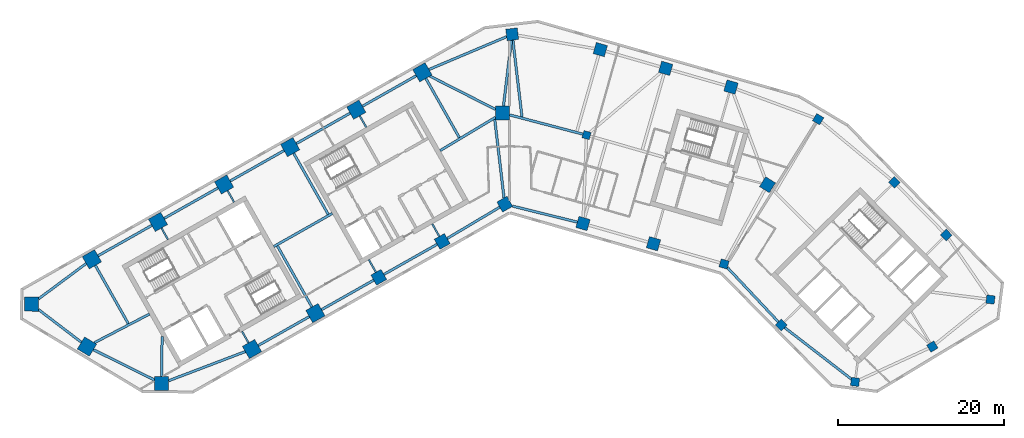
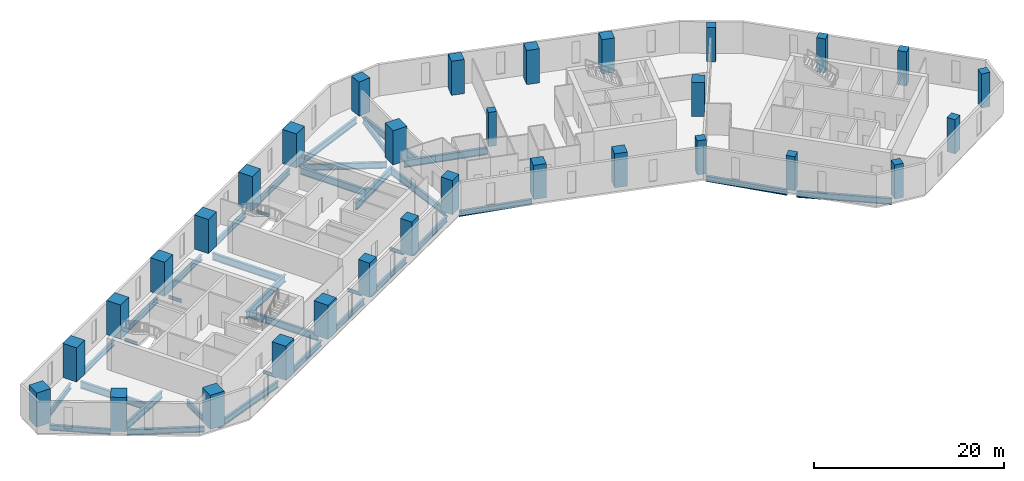
# One storey, part 1 of 10: 36 beams, 31 columns.
"""IFC4 building model written with IfcOpenShell, lengths in metres."""

from ifc_helpers import new_model, si_unit, direction, frame, origin, origin_2d, place, context, subcontext, project, spatial, rectangle, i_section, extrude, material, material_profile, profile_set, type_object, element, save


model = new_model("IFC4")

# Units and contexts
model_context = context("Model", 3, precision=1e-05, world=origin(), true_north=direction((0.0, 1.0)))
body_context = subcontext(model_context, "Body", "Model", "MODEL_VIEW")
ifc_project = project(units=[si_unit("LENGTHUNIT", "METRE"), si_unit("AREAUNIT", "SQUARE_METRE"), si_unit("VOLUMEUNIT", "CUBIC_METRE"), si_unit("PLANEANGLEUNIT", "RADIAN"), si_unit("MASSUNIT", "GRAM", prefix="KILO")], contexts=[model_context])

# Site, building, storey
site_placement = place(None, origin())
site = spatial("IfcSite", under=ifc_project, at=site_placement, CompositionType="ELEMENT")
building_placement = place(site_placement, origin())
building = spatial("IfcBuilding", under=site, at=building_placement, Name="Binnacle Exchange Tower", CompositionType="ELEMENT")
storey_placement = place(building_placement, frame((0.0, 0.0, 145.5)))
storey = spatial("IfcBuildingStorey", under=building, at=storey_placement, Name="L30", CompositionType="ELEMENT", Elevation=145.5)

# Columns
ifc_material_1 = material(Name="Concrete C60/75", Category="concrete")
ifc_material_profile_1 = material_profile(ifc_material_1, rectangle(XDim=0.89990234375, YDim=0.89990234375, at=origin_2d()), Name="Column 900x900 C60/75")
ifc_profile_set_1 = profile_set([ifc_material_profile_1], Name="Concrete C60/75")
column_type_1 = type_object("IfcColumnType", Name="Column 900x900 C60/75", PredefinedType="COLUMN", material=ifc_profile_set_1)
column_placement = place(storey_placement, frame((9.240966796875, 57.35009765625, 0.0), z_axis=(0.0, 0.0, 1.0), x_axis=(0.961261695938, -0.275637355817, 0.0)))
element("IfcColumn", 1, at=column_placement, inside=storey, type_object=column_type_1, Name="S:COL:C19:L30", PredefinedType="COLUMN", context=body_context, shape_type="SweptSolid", body=[
    extrude(rectangle(XDim=0.89990234375, YDim=0.89990234375, at=origin_2d()), origin(), (0.0, 0.0, 1.0), 4.39990234375),
])
ifc_material_2 = material(Name="Concrete C70/85", Category="concrete")
ifc_material_profile_2 = material_profile(ifc_material_2, rectangle(XDim=1.0, YDim=1.0, at=origin_2d()), Name="Mega column 1000x1000 C70/85")
ifc_profile_set_2 = profile_set([ifc_material_profile_2], Name="Concrete C70/85")
column_type_2 = type_object("IfcColumnType", Name="Mega column 1000x1000 C70/85", PredefinedType="COLUMN", material=ifc_profile_set_2)
for number, where, z_axis, x_axis, name in (
    (2, (37.0849609375, 59.262451171875, 0.0), (0.0, 0.0, 1.0), (-0.859406411501, 0.511293086077, 0.0), "S:COL:MC57:L30"),
    (3, (25.766845703125, 41.85986328125, 0.0), (0.0, 0.0, 1.0), (0.961261695938, -0.275637355817, 0.0), "S:COL:MC56:L30"),
    (4, (32.64111328125, 34.530029296875, 0.0), (0.0, 0.0, 1.0), (0.7009092643, -0.713250449154, 0.0), "S:COL:MC59:L30"),
    (5, (41.519775390625, 27.6748046875, 0.0), (0.0, 0.0, 1.0), (0.99200494968, -0.126198969136, 0.0), "S:COL:MC61:L30"),
    (6, (50.81201171875, 31.930908203125, 0.0), (0.0, 0.0, 1.0), (0.857167300702, 0.51503807491, 0.0), "S:COL:MC63:L30"),
    (7, (57.799072265625, 37.5810546875, 0.0), (0.0, 0.0, 1.0), (0.126198969136, 0.99200494968, 0.0), "S:COL:MC62:L30"),
    (8, (52.466796875, 45.33935546875, 0.0), (0.0, 0.0, 1.0), (-0.7009092643, 0.713250449154, 0.0), "S:COL:MC60:L30"),
    (9, (46.248291015625, 51.667236328125, 0.0), (0.0, 0.0, 1.0), (-0.7009092643, 0.713250449154, 0.0), "S:COL:MC58:L30"),
):
    element("IfcColumn", number, at=place(storey_placement, frame(where, z_axis=z_axis, x_axis=x_axis)), inside=storey, type_object=column_type_2, Name=name, PredefinedType="COLUMN", context=body_context, shape_type="SweptSolid", body=[
        extrude(rectangle(XDim=1.0, YDim=1.0, at=origin_2d()), origin(), (0.0, 0.0, 1.0), 4.39990234375),
    ])
ifc_material_profile_3 = material_profile(ifc_material_2, rectangle(XDim=1.39990234375, YDim=1.39990234375, at=origin_2d()), Name="Mega column 1400x1400 C70/85")
ifc_profile_set_3 = profile_set([ifc_material_profile_3], Name="Concrete C70/85")
column_type_3 = type_object("IfcColumnType", Name="Mega column 1400x1400 C70/85", PredefinedType="COLUMN", material=ifc_profile_set_3)
for number, where, z_axis, x_axis, name in (
    (10, (26.602783203125, 63.12353515625, 0.0), (0.0, 0.0, 1.0), (-0.961261695938, 0.275637355817, 0.0), "S:COL:MC52:L30"),
    (11, (18.746337890625, 65.376220703125, 0.0), (0.0, 0.0, 1.0), (-0.961261695938, 0.275637355817, 0.0), "S:COL:MC50:L30"),
    (12, (10.889892578125, 67.62890625, 0.0), (0.0, 0.0, 1.0), (-0.961261695938, 0.275637355817, 0.0), "S:COL:MC48:L30"),
    (13, (0.300048828125, 69.464111328125, 0.0), (0.0, 0.0, 1.0), (-0.993068456955, -0.117537397458, 0.0), "S:COL:MC47:L30"),
    (14, (-15.736328125, 40.257080078125, 0.0), (0.0, 0.0, 1.0), (0.87035569594, 0.492423560103, 0.0), "S:COL:MC24:L30"),
    (15, (-8.116943359375, 44.568115234375, 0.0), (0.0, 0.0, 1.0), (0.87035569594, 0.492423560103, 0.0), "S:COL:MC35:L30"),
    (16, (-0.5908203125, 49.04443359375, 0.0), (0.0, 0.0, 1.0), (0.87035569594, 0.492423560103, 0.0), "S:COL:MC46:L30"),
    (17, (8.8095703125, 46.722412109375, 0.0), (0.0, 0.0, 1.0), (0.961261695938, -0.275637355817, 0.0), "S:COL:MC49:L30"),
    (18, (17.2880859375, 44.291015625, 0.0), (0.0, 0.0, 1.0), (0.961261695938, -0.275637355817, 0.0), "S:COL:MC51:L30"),
    (19, (30.989501953125, 51.38623046875, 0.0), (0.0, 0.0, 1.0), (0.529919264233, 0.848048096156, 0.0), "S:COL:MC55:L30"),
):
    element("IfcColumn", number, at=place(storey_placement, frame(where, z_axis=z_axis, x_axis=x_axis)), inside=storey, type_object=column_type_3, Name=name, PredefinedType="COLUMN", context=body_context, shape_type="SweptSolid", body=[
        extrude(rectangle(XDim=1.39990234375, YDim=1.39990234375, at=origin_2d()), origin(), (0.0, 0.0, 1.0), 4.39990234375),
    ])
ifc_material_profile_4 = material_profile(ifc_material_2, rectangle(XDim=1.699951171875, YDim=1.699951171875, at=origin_2d()), Name="Mega column 1700x1700 C70/85")
ifc_profile_set_4 = profile_set([ifc_material_profile_4], Name="Concrete C70/85")
column_type_4 = type_object("IfcColumnType", Name="Mega column 1700x1700 C70/85", PredefinedType="COLUMN", material=ifc_profile_set_4)
for number, where, z_axis, x_axis, name in (
    (20, (-10.4951171875, 64.901611328125, 0.0), (0.0, 0.0, 1.0), (-0.87035569594, -0.492423560103, 0.0), "S:COL:MC38:L30"),
    (21, (-18.44140625, 60.406005859375, 0.0), (0.0, 0.0, 1.0), (-0.87035569594, -0.492423560103, 0.0), "S:COL:MC29:L30"),
    (22, (-26.3876953125, 55.91015625, 0.0), (0.0, 0.0, 1.0), (-0.87035569594, -0.492423560103, 0.0), "S:COL:MC21:L30"),
    (23, (-34.333740234375, 51.414306640625, 0.0), (0.0, 0.0, 1.0), (-0.87035569594, -0.492423560103, 0.0), "S:COL:MC13:L30"),
    (24, (-42.280029296875, 46.918701171875, 0.0), (0.0, 0.0, 1.0), (-0.87035569594, -0.492423560103, 0.0), "S:COL:MC08:L30"),
    (25, (-50.226318359375, 42.4228515625, 0.0), (0.0, 0.0, 1.0), (-0.87035569594, -0.492423560103, 0.0), "S:COL:MC04:L30"),
    (26, (-57.492919921875, 37.02734375, 0.0), (0.0, 0.0, 1.0), (-0.013089595571, -0.999914327574, 0.0), "S:COL:MC02:L30"),
    (27, (-50.81201171875, 31.930908203125, 0.0), (0.0, 0.0, 1.0), (0.857167300702, -0.51503807491, 0.0), "S:COL:MC01:L30"),
    (28, (-41.857666015625, 27.494873046875, 0.0), (0.0, 0.0, 1.0), (0.999914327574, -0.013089595571, 0.0), "S:COL:MC03:L30"),
    (29, (-30.9755859375, 31.63525390625, 0.0), (0.0, 0.0, 1.0), (0.87035569594, 0.492423560103, 0.0), "S:COL:MC07:L30"),
    (30, (-23.35595703125, 35.9462890625, 0.0), (0.0, 0.0, 1.0), (0.87035569594, 0.492423560103, 0.0), "S:COL:MC16:L30"),
    (31, (-0.85009765625, 60.0, 0.0), (0.0, 0.0, 1.0), (0.0, 1.0, 0.0), "S:COL:MC45:L30"),
):
    element("IfcColumn", number, at=place(storey_placement, frame(where, z_axis=z_axis, x_axis=x_axis)), inside=storey, type_object=column_type_4, Name=name, PredefinedType="COLUMN", context=body_context, shape_type="SweptSolid", body=[
        extrude(rectangle(XDim=1.699951171875, YDim=1.699951171875, at=origin_2d()), origin(), (0.0, 0.0, 1.0), 4.39990234375),
    ])

# Beams
ifc_material_3 = material(Name="Steel S355 (SHN355)", Category="steel")
ifc_material_profile_5 = material_profile(ifc_material_3, i_section(OverallWidth=0.300048828125, OverallDepth=0.699951171875, WebThickness=0.012939453125, FlangeThickness=0.02392578125, FilletRadius=0.028076171875, at=origin_2d()), Name="H 700x300x13x24")
ifc_profile_set_5 = profile_set([ifc_material_profile_5], Name="Steel S355 (SHN355)")
beam_type_1 = type_object("IfcBeamType", Name="Edge girder H 700x300x13x24 Steel S355 (SHN355)", PredefinedType="SPANDREL", material=ifc_profile_set_5)
beam_1_placement = place(storey_placement, frame((-56.6513671875, 36.38525390625, -0.669921875), z_axis=(0.795093040263, -0.606487474994, 0.0), x_axis=(0.606487474994, 0.795093040263, 0.0)))
element("IfcBeam", 32, at=beam_1_placement, inside=storey, type_object=beam_type_1, Name="S:BM:edge:L30:015", PredefinedType="SPANDREL", context=body_context, shape_type="SweptSolid", body=[
    extrude(i_section(OverallWidth=0.300048828125, OverallDepth=0.699951171875, WebThickness=0.012939453125, FlangeThickness=0.02392578125, FilletRadius=0.028076171875, at=origin_2d()), origin(), (0.0, 0.0, 1.0), 6.489013671875),
])
beam_2_placement = place(storey_placement, frame((-50.913818359375, 41.912353515625, -0.669921875), z_axis=(-0.80288535334, -0.59613346609, 0.0), x_axis=(0.59613346609, -0.80288535334, 0.0)))
element("IfcBeam", 33, at=beam_2_placement, inside=storey, type_object=beam_type_1, Name="S:BM:edge:L30:016", PredefinedType="SPANDREL", context=body_context, shape_type="SweptSolid", body=[
    extrude(i_section(OverallWidth=0.300048828125, OverallDepth=0.699951171875, WebThickness=0.012939453125, FlangeThickness=0.02392578125, FilletRadius=0.028076171875, at=origin_2d()), origin(), (0.0, 0.0, 1.0), 7.125244140625),
])
beam_3_placement = place(storey_placement, frame((-43.019775390625, 46.5, -0.669921875), z_axis=(-0.870364477798, -0.492408037898, 0.0), x_axis=(0.492408037898, -0.870364477798, 0.0)))
element("IfcBeam", 34, at=beam_3_placement, inside=storey, type_object=beam_type_1, Name="S:BM:edge:L30:018", PredefinedType="SPANDREL", context=body_context, shape_type="SweptSolid", body=[
    extrude(i_section(OverallWidth=0.300048828125, OverallDepth=0.699951171875, WebThickness=0.012939453125, FlangeThickness=0.02392578125, FilletRadius=0.028076171875, at=origin_2d()), origin(), (0.0, 0.0, 1.0), 7.4296875),
])
beam_4_placement = place(storey_placement, frame((-35.073486328125, 50.995849609375, -0.669921875), z_axis=(-0.870372444894, -0.492393955253, 0.0), x_axis=(0.492393955253, -0.870372444894, 0.0)))
element("IfcBeam", 35, at=beam_4_placement, inside=storey, type_object=beam_type_1, Name="S:BM:edge:L30:020", PredefinedType="SPANDREL", context=body_context, shape_type="SweptSolid", body=[
    extrude(i_section(OverallWidth=0.300048828125, OverallDepth=0.699951171875, WebThickness=0.012939453125, FlangeThickness=0.02392578125, FilletRadius=0.028076171875, at=origin_2d()), origin(), (0.0, 0.0, 1.0), 7.429931640625),
])
beam_5_placement = place(storey_placement, frame((-30.23583984375, 32.053955078125, -0.669921875), z_axis=(0.870373276953, 0.492392484473, 0.0), x_axis=(-0.492392484473, 0.870373276953, 0.0)))
element("IfcBeam", 36, at=beam_5_placement, inside=storey, type_object=beam_type_1, Name="S:BM:edge:L30:021", PredefinedType="SPANDREL", context=body_context, shape_type="SweptSolid", body=[
    extrude(i_section(OverallWidth=0.300048828125, OverallDepth=0.699951171875, WebThickness=0.012939453125, FlangeThickness=0.02392578125, FilletRadius=0.028076171875, at=origin_2d()), origin(), (0.0, 0.0, 1.0), 7.0546875),
])
beam_6_placement = place(storey_placement, frame((-27.12744140625, 55.49169921875, -0.669921875), z_axis=(-0.870350394687, -0.492432929919, 0.0), x_axis=(0.492432929919, -0.870350394687, 0.0)))
element("IfcBeam", 37, at=beam_6_placement, inside=storey, type_object=beam_type_1, Name="S:BM:edge:L30:022", PredefinedType="SPANDREL", context=body_context, shape_type="SweptSolid", body=[
    extrude(i_section(OverallWidth=0.300048828125, OverallDepth=0.699951171875, WebThickness=0.012939453125, FlangeThickness=0.02392578125, FilletRadius=0.028076171875, at=origin_2d()), origin(), (0.0, 0.0, 1.0), 7.429931640625),
])
beam_7_placement = place(storey_placement, frame((-22.6162109375, 36.36474609375, -0.669921875), z_axis=(0.870345646157, 0.492441322612, 0.0), x_axis=(-0.492441322612, 0.870345646157, 0.0)))
element("IfcBeam", 38, at=beam_7_placement, inside=storey, type_object=beam_type_1, Name="S:BM:edge:L30:023", PredefinedType="SPANDREL", context=body_context, shape_type="SweptSolid", body=[
    extrude(i_section(OverallWidth=0.300048828125, OverallDepth=0.699951171875, WebThickness=0.012939453125, FlangeThickness=0.02392578125, FilletRadius=0.028076171875, at=origin_2d()), origin(), (0.0, 0.0, 1.0), 7.20458984375),
])
beam_8_placement = place(storey_placement, frame((-19.18115234375, 59.9873046875, -0.669921875), z_axis=(-0.870364477798, -0.492408037898, 0.0), x_axis=(0.492408037898, -0.870364477798, 0.0)))
element("IfcBeam", 39, at=beam_8_placement, inside=storey, type_object=beam_type_1, Name="S:BM:edge:L30:024", PredefinedType="SPANDREL", context=body_context, shape_type="SweptSolid", body=[
    extrude(i_section(OverallWidth=0.300048828125, OverallDepth=0.699951171875, WebThickness=0.012939453125, FlangeThickness=0.02392578125, FilletRadius=0.028076171875, at=origin_2d()), origin(), (0.0, 0.0, 1.0), 7.4296875),
])
beam_9_placement = place(storey_placement, frame((-15.127197265625, 40.601806640625, -0.669921875), z_axis=(0.870355645737, 0.492423648837, 0.0), x_axis=(-0.492423648837, 0.870355645737, 0.0)))
element("IfcBeam", 40, at=beam_9_placement, inside=storey, type_object=beam_type_1, Name="S:BM:edge:L30:025", PredefinedType="SPANDREL", context=body_context, shape_type="SweptSolid", body=[
    extrude(i_section(OverallWidth=0.300048828125, OverallDepth=0.699951171875, WebThickness=0.012939453125, FlangeThickness=0.02392578125, FilletRadius=0.028076171875, at=origin_2d()), origin(), (0.0, 0.0, 1.0), 7.3544921875),
])
beam_10_placement = place(storey_placement, frame((-11.23486328125, 64.483154296875, -0.669921875), z_axis=(-0.870364477798, -0.492408037898, 0.0), x_axis=(0.492408037898, -0.870364477798, 0.0)))
element("IfcBeam", 41, at=beam_10_placement, inside=storey, type_object=beam_type_1, Name="S:BM:edge:L30:026", PredefinedType="SPANDREL", context=body_context, shape_type="SweptSolid", body=[
    extrude(i_section(OverallWidth=0.300048828125, OverallDepth=0.699951171875, WebThickness=0.012939453125, FlangeThickness=0.02392578125, FilletRadius=0.028076171875, at=origin_2d()), origin(), (0.0, 0.0, 1.0), 7.4296875),
])
beam_11_placement = place(storey_placement, frame((-7.51513671875, 44.926025390625, -0.669921875), z_axis=(0.859466137143, 0.511192682952, 0.0), x_axis=(-0.511192682952, 0.859466137143, 0.0)))
element("IfcBeam", 42, at=beam_11_placement, inside=storey, type_object=beam_type_1, Name="S:BM:edge:L30:027", PredefinedType="SPANDREL", context=body_context, shape_type="SweptSolid", body=[
    extrude(i_section(OverallWidth=0.300048828125, OverallDepth=0.699951171875, WebThickness=0.012939453125, FlangeThickness=0.02392578125, FilletRadius=0.028076171875, at=origin_2d()), origin(), (0.0, 0.0, 1.0), 7.356201171875),
])
beam_12_placement = place(storey_placement, frame((0.343994140625, 48.8134765625, -0.669921875), z_axis=(0.970820959584, -0.239805472064, 0.0), x_axis=(0.239805472064, 0.970820959584, 0.0)))
element("IfcBeam", 43, at=beam_12_placement, inside=storey, type_object=beam_type_1, Name="S:BM:edge:L30:029", PredefinedType="SPANDREL", context=body_context, shape_type="SweptSolid", body=[
    extrude(i_section(OverallWidth=0.300048828125, OverallDepth=0.699951171875, WebThickness=0.012939453125, FlangeThickness=0.02392578125, FilletRadius=0.028076171875, at=origin_2d()), origin(), (0.0, 0.0, 1.0), 8.019287109375),
])
ifc_material_profile_6 = material_profile(ifc_material_3, i_section(OverallWidth=0.302001953125, OverallDepth=0.7080078125, WebThickness=0.014892578125, FlangeThickness=0.028076171875, FilletRadius=0.028076171875, at=origin_2d()), Name="H 708x302x15x28")
ifc_profile_set_6 = profile_set([ifc_material_profile_6], Name="Steel S355 (SHN355)")
beam_type_2 = type_object("IfcBeamType", Name="Edge girder H 708x302x15x28 Steel S355 (SHN355)", PredefinedType="SPANDREL", material=ifc_profile_set_6)
beam_13_placement = place(storey_placement, frame((-50.0478515625, 31.55224609375, -0.674072265625), z_axis=(0.896059216286, -0.443934545749, 0.0), x_axis=(0.443934545749, 0.896059216286, 0.0)))
element("IfcBeam", 44, at=beam_13_placement, inside=storey, type_object=beam_type_2, Name="S:BM:edge:L30:017", PredefinedType="SPANDREL", context=body_context, shape_type="SweptSolid", body=[
    extrude(i_section(OverallWidth=0.302001953125, OverallDepth=0.7080078125, WebThickness=0.014892578125, FlangeThickness=0.028076171875, FilletRadius=0.028076171875, at=origin_2d()), origin(), (0.0, 0.0, 1.0), 8.197509765625),
])
beam_14_placement = place(storey_placement, frame((26.165283203125, 41.43505859375, -0.674072265625), z_axis=(0.684076068391, -0.729410674898, 0.0), x_axis=(0.729410674898, 0.684076068391, 0.0)))
element("IfcBeam", 45, at=beam_14_placement, inside=storey, type_object=beam_type_2, Name="S:BM:edge:L30:035", PredefinedType="SPANDREL", context=body_context, shape_type="SweptSolid", body=[
    extrude(i_section(OverallWidth=0.302001953125, OverallDepth=0.7080078125, WebThickness=0.014892578125, FlangeThickness=0.028076171875, FilletRadius=0.028076171875, at=origin_2d()), origin(), (0.0, 0.0, 1.0), 8.966552734375),
])
ifc_material_profile_7 = material_profile(ifc_material_3, i_section(OverallWidth=0.302001953125, OverallDepth=0.80810546875, WebThickness=0.01611328125, FlangeThickness=0.030029296875, FilletRadius=0.028076171875, at=origin_2d()), Name="H 808x302x16x30")
ifc_profile_set_7 = profile_set([ifc_material_profile_7], Name="Steel S355 (SHN355)")
beam_type_3 = type_object("IfcBeamType", Name="Edge girder H 808x302x16x30 Steel S355 (SHN355)", PredefinedType="SPANDREL", material=ifc_profile_set_7)
beam_15_placement = place(storey_placement, frame((-41.00341796875, 27.81982421875, -0.72412109375), z_axis=(0.934628738252, 0.355624973297, 0.0), x_axis=(-0.355624973297, 0.934628738252, 0.0)))
element("IfcBeam", 46, at=beam_15_placement, inside=storey, type_object=beam_type_3, Name="S:BM:edge:L30:019", PredefinedType="SPANDREL", context=body_context, shape_type="SweptSolid", body=[
    extrude(i_section(OverallWidth=0.302001953125, OverallDepth=0.80810546875, WebThickness=0.01611328125, FlangeThickness=0.030029296875, FilletRadius=0.028076171875, at=origin_2d()), origin(), (0.0, 0.0, 1.0), 9.869384765625),
])
beam_16_placement = place(storey_placement, frame((-0.37109375, 69.180419921875, -0.72412109375), z_axis=(-0.921114465748, -0.389291845523, 0.0), x_axis=(0.389291845523, -0.921114465748, 0.0)))
element("IfcBeam", 47, at=beam_16_placement, inside=storey, type_object=beam_type_3, Name="S:BM:edge:L30:028", PredefinedType="SPANDREL", context=body_context, shape_type="SweptSolid", body=[
    extrude(i_section(OverallWidth=0.302001953125, OverallDepth=0.80810546875, WebThickness=0.01611328125, FlangeThickness=0.030029296875, FilletRadius=0.028076171875, at=origin_2d()), origin(), (0.0, 0.0, 1.0), 10.13525390625),
])
beam_17_placement = place(storey_placement, frame((33.040771484375, 34.2216796875, -0.72412109375), z_axis=(0.791519159984, -0.611144352324, 0.0), x_axis=(0.611144352324, 0.791519159984, 0.0)))
element("IfcBeam", 48, at=beam_17_placement, inside=storey, type_object=beam_type_3, Name="S:BM:edge:L30:036", PredefinedType="SPANDREL", context=body_context, shape_type="SweptSolid", body=[
    extrude(i_section(OverallWidth=0.302001953125, OverallDepth=0.80810546875, WebThickness=0.01611328125, FlangeThickness=0.030029296875, FilletRadius=0.028076171875, at=origin_2d()), origin(), (0.0, 0.0, 1.0), 10.13232421875),
])
ifc_material_profile_8 = material_profile(ifc_material_3, i_section(OverallWidth=0.199951171875, OverallDepth=0.39990234375, WebThickness=0.008056640625, FlangeThickness=0.012939453125, FilletRadius=0.01611328125, at=origin_2d()), Name="H 400x200x8x13")
ifc_profile_set_8 = profile_set([ifc_material_profile_8], Name="Steel S355 (SHN355)")
beam_type_4 = type_object("IfcBeamType", Name="Floor beam H 400x200x8x13 Steel S355 (SHN355)", PredefinedType="BEAM", material=ifc_profile_set_8)
beam_18_placement = place(storey_placement, frame((-41.861328125, 46.178955078125, -0.52001953125), z_axis=(0.492366981934, -0.870387703901, 0.0), x_axis=(0.870387703901, 0.492366981934, 0.0)))
element("IfcBeam", 49, at=beam_18_placement, inside=storey, type_object=beam_type_4, Name="S:BM:cross:L30:044", PredefinedType="BEAM", context=body_context, shape_type="SweptSolid", body=[
    extrude(i_section(OverallWidth=0.199951171875, OverallDepth=0.39990234375, WebThickness=0.008056640625, FlangeThickness=0.012939453125, FilletRadius=0.01611328125, at=origin_2d()), origin(), (0.0, 0.0, 1.0), 1.584228515625),
])
beam_19_placement = place(storey_placement, frame((-33.915283203125, 50.674560546875, -0.52001953125), z_axis=(0.492483715062, -0.870321659158, 0.0), x_axis=(0.870321659158, 0.492483715062, 0.0)))
element("IfcBeam", 50, at=beam_19_placement, inside=storey, type_object=beam_type_4, Name="S:BM:cross:L30:046", PredefinedType="BEAM", context=body_context, shape_type="SweptSolid", body=[
    extrude(i_section(OverallWidth=0.199951171875, OverallDepth=0.39990234375, WebThickness=0.008056640625, FlangeThickness=0.012939453125, FilletRadius=0.01611328125, at=origin_2d()), origin(), (0.0, 0.0, 1.0), 1.58447265625),
])
for number, where, z_axis, x_axis, name in (
    (51, (-31.394287109375, 32.375, -0.52001953125), (-0.492366981934, 0.870387703901, 0.0), (-0.870387703901, -0.492366981934, 0.0), "S:BM:cross:L30:047"),
    (52, (-18.022705078125, 59.666259765625, -0.52001953125), (0.492366981934, -0.870387703901, 0.0), (0.870387703901, 0.492366981934, 0.0), "S:BM:cross:L30:050"),
):
    element("IfcBeam", number, at=place(storey_placement, frame(where, z_axis=z_axis, x_axis=x_axis)), inside=storey, type_object=beam_type_4, Name=name, PredefinedType="BEAM", context=body_context, shape_type="SweptSolid", body=[
        extrude(i_section(OverallWidth=0.199951171875, OverallDepth=0.39990234375, WebThickness=0.008056640625, FlangeThickness=0.012939453125, FilletRadius=0.01611328125, at=origin_2d()), origin(), (0.0, 0.0, 1.0), 1.584228515625),
    ])
for number, where, z_axis, x_axis, name in (
    (53, (-16.0810546875, 40.866455078125, -0.52001953125), (-0.492405102951, 0.870366138236, 0.0), (-0.870366138236, -0.492405102951, 0.0), "S:BM:cross:L30:051"),
    (54, (-8.461669921875, 45.17724609375, -0.52001953125), (-0.492405102951, 0.870366138236, 0.0), (-0.870366138236, -0.492405102951, 0.0), "S:BM:cross:L30:053"),
):
    element("IfcBeam", number, at=place(storey_placement, frame(where, z_axis=z_axis, x_axis=x_axis)), inside=storey, type_object=beam_type_4, Name=name, PredefinedType="BEAM", context=body_context, shape_type="SweptSolid", body=[
        extrude(i_section(OverallWidth=0.199951171875, OverallDepth=0.39990234375, WebThickness=0.008056640625, FlangeThickness=0.012939453125, FilletRadius=0.01611328125, at=origin_2d()), origin(), (0.0, 0.0, 1.0), 1.734375),
    ])
ifc_material_profile_9 = material_profile(ifc_material_3, i_section(OverallWidth=0.300048828125, OverallDepth=0.699951171875, WebThickness=0.012939453125, FlangeThickness=0.02392578125, FilletRadius=0.028076171875, at=origin_2d()), Name="H 700x300x13x24")
ifc_profile_set_9 = profile_set([ifc_material_profile_9], Name="Steel S355 (SHN355)")
beam_type_5 = type_object("IfcBeamType", Name="Floor beam H 700x300x13x24 Steel S355 (SHN355)", PredefinedType="BEAM", material=ifc_profile_set_9)
beam_20_placement = place(storey_placement, frame((-41.8466796875, 28.3447265625, -0.669921875), z_axis=(0.013120628196, 0.999913920853, 0.0), x_axis=(-0.999913920853, 0.013120628196, 0.0)))
element("IfcBeam", 55, at=beam_20_placement, inside=storey, type_object=beam_type_5, Name="S:BM:cross:L30:045", PredefinedType="BEAM", context=body_context, shape_type="SweptSolid", body=[
    extrude(i_section(OverallWidth=0.300048828125, OverallDepth=0.699951171875, WebThickness=0.012939453125, FlangeThickness=0.02392578125, FilletRadius=0.028076171875, at=origin_2d()), origin(), (0.0, 0.0, 1.0), 4.80078125),
])
ifc_material_profile_10 = material_profile(ifc_material_3, i_section(OverallWidth=0.300048828125, OverallDepth=0.89990234375, WebThickness=0.01611328125, FlangeThickness=0.028076171875, FilletRadius=0.028076171875, at=origin_2d()), Name="H 900x300x16x28")
ifc_profile_set_10 = profile_set([ifc_material_profile_10], Name="Steel S355 (SHN355)")
beam_type_6 = type_object("IfcBeamType", Name="Floor beam H 900x300x16x28 Steel S355 (SHN355)", PredefinedType="BEAM", material=ifc_profile_set_10)
beam_21_placement = place(storey_placement, frame((-49.8076171875, 41.68310546875, -0.77001953125), z_axis=(0.492423370769, -0.87035580306, 0.0), x_axis=(0.87035580306, 0.492423370769, 0.0)))
element("IfcBeam", 56, at=beam_21_placement, inside=storey, type_object=beam_type_6, Name="S:BM:cross:L30:043", PredefinedType="BEAM", context=body_context, shape_type="SweptSolid", body=[
    extrude(i_section(OverallWidth=0.300048828125, OverallDepth=0.89990234375, WebThickness=0.01611328125, FlangeThickness=0.028076171875, FilletRadius=0.028076171875, at=origin_2d()), origin(), (0.0, 0.0, 1.0), 8.041259765625),
])
beam_22_placement = place(storey_placement, frame((-10.076416015625, 64.161865234375, -0.77001953125), z_axis=(0.492410737926, -0.870362950254, 0.0), x_axis=(0.870362950254, 0.492410737926, 0.0)))
element("IfcBeam", 57, at=beam_22_placement, inside=storey, type_object=beam_type_6, Name="S:BM:cross:L30:052", PredefinedType="BEAM", context=body_context, shape_type="SweptSolid", body=[
    extrude(i_section(OverallWidth=0.300048828125, OverallDepth=0.89990234375, WebThickness=0.01611328125, FlangeThickness=0.028076171875, FilletRadius=0.028076171875, at=origin_2d()), origin(), (0.0, 0.0, 1.0), 8.16943359375),
])
ifc_material_profile_11 = material_profile(ifc_material_3, i_section(OverallWidth=0.302001953125, OverallDepth=0.912109375, WebThickness=0.01806640625, FlangeThickness=0.033935546875, FilletRadius=0.028076171875, at=origin_2d()), Name="H 912x302x18x34")
ifc_profile_set_11 = profile_set([ifc_material_profile_11], Name="Steel S355 (SHN355)")
beam_type_7 = type_object("IfcBeamType", Name="Floor beam H 912x302x18x34 Steel S355 (SHN355)", PredefinedType="BEAM", material=ifc_profile_set_11)
for number, where, z_axis, x_axis, name in (
    (58, (-25.968994140625, 55.17041015625, -0.77587890625), (0.492409177884, -0.870363832851, 0.0), (0.870363832851, 0.492409177884, 0.0), "S:BM:cross:L30:048"),
    (59, (-23.774658203125, 36.68603515625, -0.77587890625), (-0.492409177884, 0.870363832851, 0.0), (-0.870363832851, -0.492409177884, 0.0), "S:BM:cross:L30:049"),
):
    element("IfcBeam", number, at=place(storey_placement, frame(where, z_axis=z_axis, x_axis=x_axis)), inside=storey, type_object=beam_type_7, Name=name, PredefinedType="BEAM", context=body_context, shape_type="SweptSolid", body=[
        extrude(i_section(OverallWidth=0.302001953125, OverallDepth=0.912109375, WebThickness=0.01806640625, FlangeThickness=0.033935546875, FilletRadius=0.028076171875, at=origin_2d()), origin(), (0.0, 0.0, 1.0), 8.43408203125),
    ])
ifc_material_profile_12 = material_profile(ifc_material_3, i_section(OverallWidth=0.302978515625, OverallDepth=0.91796875, WebThickness=0.01904296875, FlangeThickness=0.037109375, FilletRadius=0.028076171875, at=origin_2d()), Name="H 918x303x19x37")
ifc_profile_set_12 = profile_set([ifc_material_profile_12], Name="Steel S355 (SHN355)")
beam_type_8 = type_object("IfcBeamType", Name="Floor beam H 918x303x19x37 Steel S355 (SHN355)", PredefinedType="BEAM", material=ifc_profile_set_12)
beam_23_placement = place(storey_placement, frame((-0.68017578125, 49.79833984375, -0.779052734375), z_axis=(-0.11752294526, 0.993070167379, 0.0), x_axis=(-0.993070167379, -0.11752294526, 0.0)))
element("IfcBeam", 60, at=beam_23_placement, inside=storey, type_object=beam_type_8, Name="S:BM:cross:L30:054", PredefinedType="BEAM", context=body_context, shape_type="SweptSolid", body=[
    extrude(i_section(OverallWidth=0.302978515625, OverallDepth=0.91796875, WebThickness=0.01904296875, FlangeThickness=0.037109375, FilletRadius=0.028076171875, at=origin_2d()), origin(), (0.0, 0.0, 1.0), 9.537353515625),
])
beam_24_placement = place(storey_placement, frame((0.38232421875, 68.76904296875, -0.779052734375), z_axis=(0.117557103339, -0.993066124412, 0.0), x_axis=(0.993066124412, 0.117557103339, 0.0)))
element("IfcBeam", 61, at=beam_24_placement, inside=storey, type_object=beam_type_8, Name="S:BM:cross:L30:055", PredefinedType="BEAM", context=body_context, shape_type="SweptSolid", body=[
    extrude(i_section(OverallWidth=0.302978515625, OverallDepth=0.91796875, WebThickness=0.01904296875, FlangeThickness=0.037109375, FilletRadius=0.028076171875, at=origin_2d()), origin(), (0.0, 0.0, 1.0), 9.2998046875),
])
ifc_material_profile_13 = material_profile(ifc_material_3, i_section(OverallWidth=0.302001953125, OverallDepth=0.7080078125, WebThickness=0.014892578125, FlangeThickness=0.028076171875, FilletRadius=0.028076171875, at=origin_2d()), Name="H 708x302x15x28")
ifc_profile_set_13 = profile_set([ifc_material_profile_13], Name="Steel S355 (SHN355)")
beam_type_9 = type_object("IfcBeamType", Name="Spine girder H 708x302x15x28 Steel S355 (SHN355)", PredefinedType="BEAM", material=ifc_profile_set_13)
beam_25_placement = place(storey_placement, frame((-0.74658203125, 60.85009765625, -0.674072265625), z_axis=(0.120612669289, 0.992699644408, 0.0), x_axis=(-0.992699644408, 0.120612669289, 0.0)))
element("IfcBeam", 62, at=beam_25_placement, inside=storey, type_object=beam_type_9, Name="S:BM:spine:L30:005", PredefinedType="BEAM", context=body_context, shape_type="SweptSolid", body=[
    extrude(i_section(OverallWidth=0.302001953125, OverallDepth=0.7080078125, WebThickness=0.014892578125, FlangeThickness=0.028076171875, FilletRadius=0.028076171875, at=origin_2d()), origin(), (0.0, 0.0, 1.0), 7.95703125),
])
ifc_material_profile_14 = material_profile(ifc_material_3, i_section(OverallWidth=0.302001953125, OverallDepth=0.80810546875, WebThickness=0.01611328125, FlangeThickness=0.030029296875, FilletRadius=0.028076171875, at=origin_2d()), Name="H 808x302x16x30")
ifc_profile_set_14 = profile_set([ifc_material_profile_14], Name="Steel S355 (SHN355)")
beam_type_10 = type_object("IfcBeamType", Name="Spine girder H 808x302x16x30 Steel S355 (SHN355)", PredefinedType="BEAM", material=ifc_profile_set_14)
beam_26_placement = place(storey_placement, frame((-1.699951171875, 60.431884765625, -0.72412109375), z_axis=(-0.891471296315, 0.45307717648, 0.0), x_axis=(-0.45307717648, -0.891471296315, 0.0)))
element("IfcBeam", 63, at=beam_26_placement, inside=storey, type_object=beam_type_10, Name="S:BM:spine:L30:004", PredefinedType="BEAM", context=body_context, shape_type="SweptSolid", body=[
    extrude(i_section(OverallWidth=0.302001953125, OverallDepth=0.80810546875, WebThickness=0.01611328125, FlangeThickness=0.030029296875, FilletRadius=0.028076171875, at=origin_2d()), origin(), (0.0, 0.0, 1.0), 8.845703125),
])
ifc_material_profile_15 = material_profile(ifc_material_3, i_section(OverallWidth=0.300048828125, OverallDepth=0.89990234375, WebThickness=0.01611328125, FlangeThickness=0.028076171875, FilletRadius=0.028076171875, at=origin_2d()), Name="H 900x300x16x28")
ifc_profile_set_15 = profile_set([ifc_material_profile_15], Name="Steel S355 (SHN355)")
beam_type_11 = type_object("IfcBeamType", Name="Spine girder H 900x300x16x28 Steel S355 (SHN355)", PredefinedType="BEAM", material=ifc_profile_set_15)
beam_27_placement = place(storey_placement, frame((-49.927734375, 32.391357421875, -0.77001953125), z_axis=(0.886979965344, 0.461807904954, 0.0), x_axis=(-0.461807904954, 0.886979965344, 0.0)))
element("IfcBeam", 64, at=beam_27_placement, inside=storey, type_object=beam_type_11, Name="S:BM:spine:L30:001", PredefinedType="BEAM", context=body_context, shape_type="SweptSolid", body=[
    extrude(i_section(OverallWidth=0.300048828125, OverallDepth=0.89990234375, WebThickness=0.01611328125, FlangeThickness=0.028076171875, FilletRadius=0.028076171875, at=origin_2d()), origin(), (0.0, 0.0, 1.0), 7.463623046875),
])
beam_28_placement = place(storey_placement, frame((-8.36328125, 55.489990234375, -0.77001953125), z_axis=(0.857393122678, 0.514662057261, 0.0), x_axis=(-0.514662057261, 0.857393122678, 0.0)))
element("IfcBeam", 65, at=beam_28_placement, inside=storey, type_object=beam_type_11, Name="S:BM:spine:L30:003", PredefinedType="BEAM", context=body_context, shape_type="SweptSolid", body=[
    extrude(i_section(OverallWidth=0.300048828125, OverallDepth=0.89990234375, WebThickness=0.01611328125, FlangeThickness=0.028076171875, FilletRadius=0.028076171875, at=origin_2d()), origin(), (0.0, 0.0, 1.0), 7.771728515625),
])
ifc_material_profile_16 = material_profile(ifc_material_3, i_section(OverallWidth=0.302001953125, OverallDepth=0.912109375, WebThickness=0.01806640625, FlangeThickness=0.033935546875, FilletRadius=0.028076171875, at=origin_2d()), Name="H 912x302x18x34")
ifc_profile_set_16 = profile_set([ifc_material_profile_16], Name="Steel S355 (SHN355)")
beam_type_12 = type_object("IfcBeamType", Name="Spine girder H 912x302x18x34 Steel S355 (SHN355)", PredefinedType="BEAM", material=ifc_profile_set_16)
beam_29_placement = place(storey_placement, frame((-28.365478515625, 43.951416015625, -0.77587890625), z_axis=(0.870350319004, 0.492433063684, 0.0), x_axis=(-0.492433063684, 0.870350319004, 0.0)))
element("IfcBeam", 66, at=beam_29_placement, inside=storey, type_object=beam_type_12, Name="S:BM:spine:L30:002", PredefinedType="BEAM", context=body_context, shape_type="SweptSolid", body=[
    extrude(i_section(OverallWidth=0.302001953125, OverallDepth=0.912109375, WebThickness=0.01806640625, FlangeThickness=0.033935546875, FilletRadius=0.028076171875, at=origin_2d()), origin(), (0.0, 0.0, 1.0), 8.0908203125),
])
ifc_material_profile_17 = material_profile(ifc_material_3, i_section(OverallWidth=0.302978515625, OverallDepth=0.91796875, WebThickness=0.01904296875, FlangeThickness=0.037109375, FilletRadius=0.028076171875, at=origin_2d()), Name="H 918x303x19x37")
ifc_profile_set_17 = profile_set([ifc_material_profile_17], Name="Steel S355 (SHN355)")
beam_type_13 = type_object("IfcBeamType", Name="Spine girder H 918x303x19x37 Steel S355 (SHN355)", PredefinedType="BEAM", material=ifc_profile_set_17)
beam_30_placement = place(storey_placement, frame((0.0, 59.77685546875, -0.779052734375), z_axis=(0.967208488002, -0.253983741089, 0.0), x_axis=(0.253983741089, 0.967208488002, 0.0)))
element("IfcBeam", 67, at=beam_30_placement, inside=storey, type_object=beam_type_13, Name="S:BM:spine:L30:006", PredefinedType="BEAM", context=body_context, shape_type="SweptSolid", body=[
    extrude(i_section(OverallWidth=0.302978515625, OverallDepth=0.91796875, WebThickness=0.01904296875, FlangeThickness=0.037109375, FilletRadius=0.028076171875, at=origin_2d()), origin(), (0.0, 0.0, 1.0), 9.10400390625),
])

save(model, "model.ifc")
